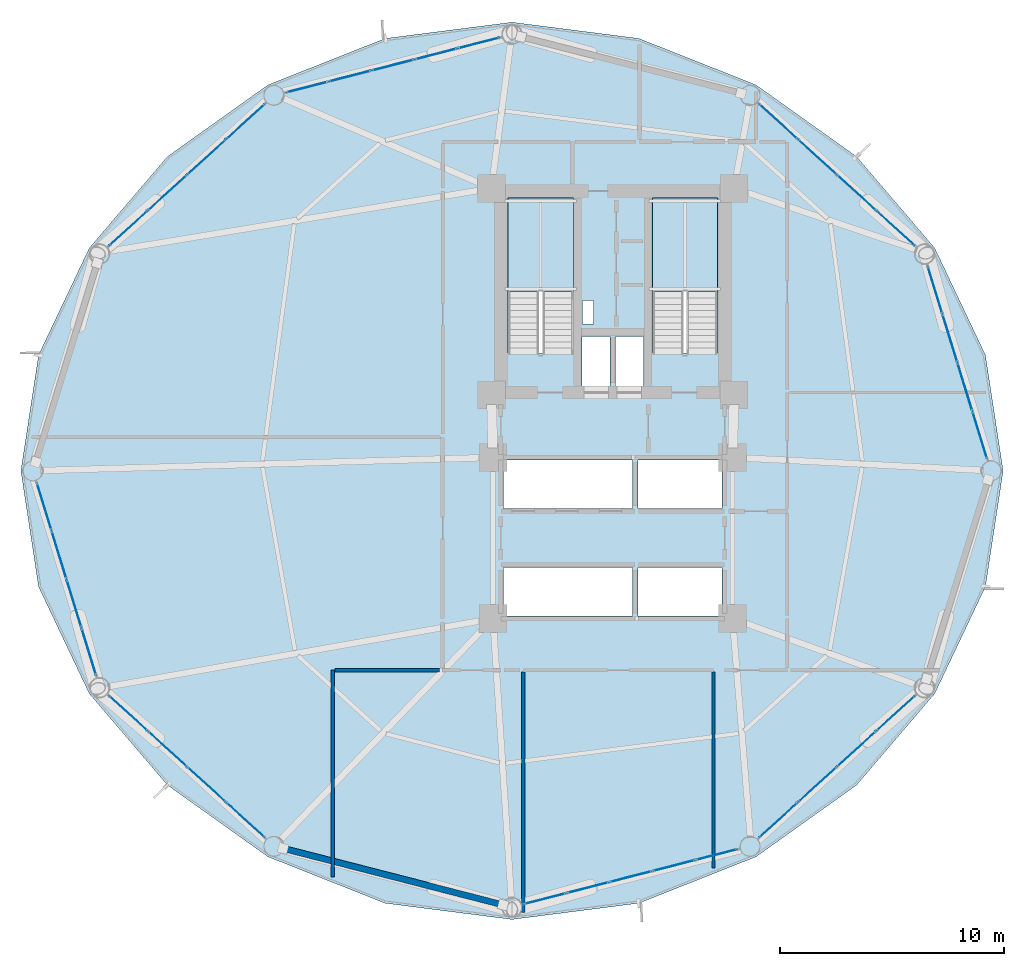
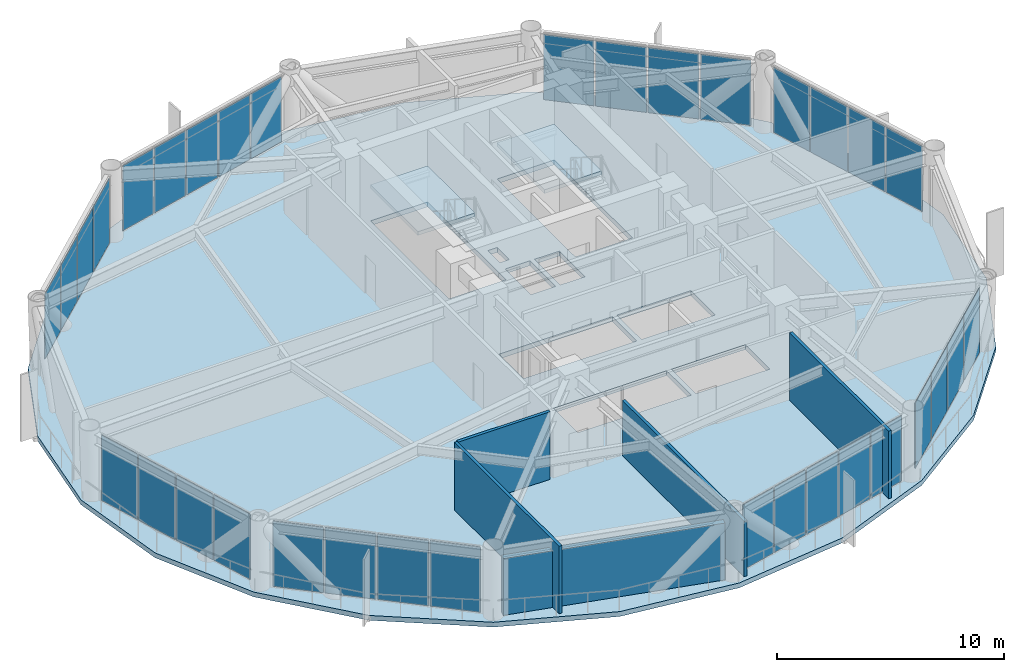
# One storey, part 19 of 25: 34 plates, 5 walls, 3 slabs, 10 elements without a shape of their own.
"""IFC4 building model written with IfcOpenShell, lengths in metres."""

import ifcopenshell
import ifcopenshell.guid

model = None  # the IFC model being written
_history = None  # IfcOwnerHistory: only IFC2X3 demands one
_inside = {}  # id of a spatial element -> (the spatial element, [elements in it])
_under = {}  # id of a project, library or spatial element -> (it, [spatial elements below it])
_declared = {}  # id of a project -> (the project, [libraries it declares])
_typed = {}  # id of a type object -> (the type object, [elements of that type])
_made_of = {}  # id of a material, layer set ... -> (it, [elements and type objects made of it])


def new_model(schema):
    """Start an empty IFC model of exactly this schema.

    Asked for "IFC4X3", IfcOpenShell would pick the latest addendum, in which some entities
    have other attributes; the version numbers below select the first issue.
    IFC2X3 requires an IfcOwnerHistory on every rooted entity: one is made here for all.
    """
    global model, _history
    if schema == "IFC4X3":
        model = ifcopenshell.file(schema_version=(4, 3, 0, 0))
    else:
        model = ifcopenshell.file(schema=schema)
    _inside.clear()
    _under.clear()
    _declared.clear()
    _typed.clear()
    _made_of.clear()
    _history = None
    if model.schema == "IFC2X3":
        org = make("IfcOrganization", Name="unknown")
        user = make(
            "IfcPersonAndOrganization",
            ThePerson=make("IfcPerson", FamilyName="unknown"),
            TheOrganization=org,
        )
        app = make(
            "IfcApplication",
            ApplicationDeveloper=org,
            Version="unknown",
            ApplicationFullName="unknown",
            ApplicationIdentifier="unknown",
        )
        _history = make(
            "IfcOwnerHistory",
            OwningUser=user,
            OwningApplication=app,
            ChangeAction="ADDED",
            CreationDate=0,
        )
    return model


def make(cls, **values):
    """One entity of the class cls with the attributes given. An attribute that is None is left unset."""
    return model.create_entity(
        cls, **{name: value for name, value in values.items() if value is not None}
    )


def rooted(cls, **values):
    """An entity with a GlobalId (a new one), such as an element, a storey or a relation."""
    return make(cls, GlobalId=ifcopenshell.guid.new(), OwnerHistory=_history, **values)


def si_unit(unit_type, name, prefix=None):
    """IfcSIUnit, for example si_unit("LENGTHUNIT", "METRE", prefix="MILLI")."""
    return make("IfcSIUnit", UnitType=unit_type, Prefix=prefix, Name=name)


def assignment(units):
    """IfcUnitAssignment: the units of a project."""
    return None if units is None else make("IfcUnitAssignment", Units=units)


def point(xyz):
    """IfcCartesianPoint."""
    return None if xyz is None else make("IfcCartesianPoint", Coordinates=xyz)


def direction(xyz):
    """IfcDirection."""
    return None if xyz is None else make("IfcDirection", DirectionRatios=xyz)


def frame(location, z_axis=None, x_axis=None):
    """IfcAxis2Placement3D, a coordinate frame: its origin and axes. An axis left out is left unset."""
    return make(
        "IfcAxis2Placement3D",
        Location=point(location),
        Axis=direction(z_axis),
        RefDirection=direction(x_axis),
    )


def frame_2d(location, x_axis=None):
    """IfcAxis2Placement2D, a coordinate frame in the plane: its origin and x axis."""
    return make(
        "IfcAxis2Placement2D", Location=point(location), RefDirection=direction(x_axis)
    )


def origin():
    """The frame at (0, 0, 0) with its axes left unset."""
    return frame((0.0, 0.0, 0.0))


def origin_2d():
    """The frame at (0, 0) in the plane with its x axis left unset."""
    return frame_2d((0.0, 0.0))


def place(relative_to, where):
    """IfcLocalPlacement: puts the frame where relative to a parent placement (None: the world)."""
    return make(
        "IfcLocalPlacement", PlacementRelTo=relative_to, RelativePlacement=where
    )


def context(
    kind, dimensions, precision=None, world=None, true_north=None, identifier=None
):
    """IfcGeometricRepresentationContext, for example the 3D "Model" context."""
    return make(
        "IfcGeometricRepresentationContext",
        ContextIdentifier=identifier,
        ContextType=kind,
        CoordinateSpaceDimension=dimensions,
        Precision=precision,
        WorldCoordinateSystem=world,
        TrueNorth=true_north,
    )


def subcontext(parent, identifier, kind, view, scale=None):
    """IfcGeometricRepresentationSubContext, for example "Body" below "Model"."""
    return make(
        "IfcGeometricRepresentationSubContext",
        ContextIdentifier=identifier,
        ContextType=kind,
        ParentContext=parent,
        TargetScale=scale,
        TargetView=view,
    )


def project(units=None, contexts=None):
    """IfcProject with its units and contexts."""
    return rooted(
        "IfcProject",
        Name="project",
        RepresentationContexts=contexts,
        UnitsInContext=assignment(units),
    )


def spatial(cls, under=None, at=None, **own):
    """A site, building, storey or space (cls), placed at a placement, below another one or the project."""
    s = rooted(cls, ObjectPlacement=at, **own)
    if under is not None:
        _under.setdefault(under.id(), (under, []))[1].append(s)
    return s


def polyline(points):
    """IfcPolyline through the points."""
    return make("IfcPolyline", Points=[point(p) for p in points])


def profile(cls, at=None, kind="AREA", **sizes):
    """A parametric profile (cls). Its sizes go by their IFC names, for example OverallWidth=200.0."""
    return make(cls, ProfileType=kind, Position=at, **sizes)


def rectangle(**sizes):
    """IfcRectangleProfileDef."""
    return profile("IfcRectangleProfileDef", **sizes)


def outline(outer, holes=None, kind="AREA"):
    """IfcArbitraryClosedProfileDef: a profile drawn as a closed curve; with holes, ...WithVoids."""
    if holes is None:
        return make("IfcArbitraryClosedProfileDef", ProfileType=kind, OuterCurve=outer)
    return make(
        "IfcArbitraryProfileDefWithVoids",
        ProfileType=kind,
        OuterCurve=outer,
        InnerCurves=holes,
    )


def extrude(swept, where, along, depth):
    """IfcExtrudedAreaSolid: the profile swept, set in the frame where, extruded along a direction by depth."""
    return make(
        "IfcExtrudedAreaSolid",
        SweptArea=swept,
        Position=where,
        ExtrudedDirection=direction(along),
        Depth=depth,
    )


def shape(context_of_items, identifier, shape_type, items):
    """IfcShapeRepresentation: the items that make up one representation, for example the "Body"."""
    return make(
        "IfcShapeRepresentation",
        ContextOfItems=context_of_items,
        RepresentationIdentifier=identifier,
        RepresentationType=shape_type,
        Items=items,
    )


def source(mapping_origin, context_of_items, identifier, shape_type, items):
    """IfcRepresentationMap: a shape defined once, which mapped items show again and again."""
    return make(
        "IfcRepresentationMap",
        MappingOrigin=mapping_origin,
        MappedRepresentation=shape(context_of_items, identifier, shape_type, items),
    )


def transform(
    local_origin,
    x_axis=None,
    y_axis=None,
    z_axis=None,
    scale=None,
    scale2=None,
    scale3=None,
    uniform=True,
):
    """IfcCartesianTransformationOperator3D, or its non-uniform kind. x_axis, y_axis, z_axis: its Axis1, 2, 3."""
    if uniform:
        return make(
            "IfcCartesianTransformationOperator3D",
            Axis1=direction(x_axis),
            Axis2=direction(y_axis),
            LocalOrigin=point(local_origin),
            Scale=scale,
            Axis3=direction(z_axis),
        )
    return make(
        "IfcCartesianTransformationOperator3DnonUniform",
        Axis1=direction(x_axis),
        Axis2=direction(y_axis),
        LocalOrigin=point(local_origin),
        Scale=scale,
        Axis3=direction(z_axis),
        Scale2=scale2,
        Scale3=scale3,
    )


def mapped(mapping_source, mapping_target):
    """IfcMappedItem: shows the shape of a source again, moved by a transform."""
    return make(
        "IfcMappedItem", MappingSource=mapping_source, MappingTarget=mapping_target
    )


def material(Name=None, Category=None):
    """IfcMaterial."""
    return make("IfcMaterial", Name=Name, Category=Category)


def layer(
    of_material, thickness, ventilated=None, Name=None, Category=None, Priority=None
):
    """IfcMaterialLayer: one layer of a wall or slab, of a material (None: an air gap)."""
    return make(
        "IfcMaterialLayer",
        Material=of_material,
        LayerThickness=thickness,
        IsVentilated=ventilated,
        Name=Name,
        Category=Category,
        Priority=Priority,
    )


def layer_set(layers, Name=None):
    """IfcMaterialLayerSet."""
    return make("IfcMaterialLayerSet", MaterialLayers=layers, LayerSetName=Name)


def made_of(thing, what):
    """Note that an element or type object is made of a material, layer set ...; save() writes the relation."""
    if what is not None:
        _made_of.setdefault(what.id(), (what, []))[1].append(thing)
    return thing


def type_object(cls, material=None, **own):
    """A type object (cls), such as IfcWallType, which elements share."""
    return made_of(rooted(cls, **own), material)


def type_shapes(of_type, sources):
    """Give a type object the sources (RepresentationMaps) that its elements show as mapped items."""
    of_type.RepresentationMaps = sources


def element(
    cls,
    number,
    at=None,
    inside=None,
    cuts=None,
    type_object=None,
    material=None,
    context=None,
    identifier="Body",
    shape_type=None,
    held_by="IfcProductDefinitionShape",
    body=None,
    shapes=None,
    **own,
):
    """One element of the class cls, such as IfcWall. Its Tag is "e" and its number.

    at: its placement. inside: the storey or other place that contains it. cuts: it is an
    opening in that element (IfcRelVoidsElement). A single representation is given by context,
    identifier, shape_type and body (its items); several are given by shapes. held_by: the class
    of the entity that holds the representations. save() writes the other relations.
    """
    e = rooted(cls, Tag="e%d" % number, ObjectPlacement=at, **own)
    if body is not None:
        shapes = [shape(context, identifier, shape_type, body)]
    if shapes is not None:
        e.Representation = make(held_by, Representations=shapes)
    if inside is not None:
        _inside.setdefault(inside.id(), (inside, []))[1].append(e)
    if cuts is not None:
        rooted(
            "IfcRelVoidsElement", RelatingBuildingElement=cuts, RelatedOpeningElement=e
        )
    if type_object is not None:
        _typed.setdefault(type_object.id(), (type_object, []))[1].append(e)
    return made_of(e, material)


def aggregate(whole, parts):
    """IfcRelAggregates: a whole, such as a stair, and the parts it consists of."""
    return rooted("IfcRelAggregates", RelatingObject=whole, RelatedObjects=parts)


def save(model, path):
    """Write the relations noted so far, then the file.

    IfcRelAggregates (storeys below a building ...), IfcRelContainedInSpatialStructure (elements
    in a storey), IfcRelDefinesByType, IfcRelAssociatesMaterial and IfcRelDeclares: one each for
    every whole, place, type object, material and project.
    """
    for whole, parts in _under.values():
        aggregate(whole, parts)
    for where, things in _inside.values():
        rooted(
            "IfcRelContainedInSpatialStructure",
            RelatedElements=things,
            RelatingStructure=where,
        )
    for kind, things in _typed.values():
        rooted("IfcRelDefinesByType", RelatedObjects=things, RelatingType=kind)
    for what, things in _made_of.values():
        rooted("IfcRelAssociatesMaterial", RelatedObjects=things, RelatingMaterial=what)
    for by, libraries in _declared.values():
        rooted("IfcRelDeclares", RelatingContext=by, RelatedDefinitions=libraries)
    model.write(path)


model = new_model("IFC4")

# Units and contexts
model_context = context("Model", 3, precision=1e-05, world=origin(), true_north=direction((0.0, 1.0)))
body_context = subcontext(model_context, "Body", "Model", "MODEL_VIEW")
ifc_project = project(units=[si_unit("LENGTHUNIT", "METRE"), si_unit("AREAUNIT", "SQUARE_METRE"), si_unit("VOLUMEUNIT", "CUBIC_METRE"), si_unit("PLANEANGLEUNIT", "RADIAN"), si_unit("MASSUNIT", "GRAM", prefix="KILO")], contexts=[model_context])

# Site, building, storey
site_placement = place(None, origin())
site = spatial("IfcSite", under=ifc_project, at=site_placement, CompositionType="ELEMENT")
building_placement = place(site_placement, origin())
building = spatial("IfcBuilding", under=site, at=building_placement, Name="Varnakorn Sky Granary", CompositionType="ELEMENT")
storey_placement = place(building_placement, frame((0.0, 0.0, 58.800048828125)))
storey = spatial("IfcBuildingStorey", under=building, at=storey_placement, Name="L14", CompositionType="ELEMENT", Elevation=58.800048828125)

# Stair, slab
ifc_material_1 = material(Name="Concrete C40/50", Category="concrete")
stair_type = type_object("IfcStairType", Name="ST-MAIN-ASSEMBLY", PredefinedType="HALF_TURN_STAIR", material=ifc_material_1)
stair_1_placement = place(storey_placement, origin())
stair_1 = element("IfcStair", 1, at=stair_1_placement, inside=storey, type_object=stair_type, Name="L14 Protected Exit Stair ST-1", PredefinedType="HALF_TURN_STAIR")
ifc_layer_1 = layer(ifc_material_1, 0.199951171875, Name="Concrete C40/50")
ifc_layer_set_1 = layer_set([ifc_layer_1], Name="Concrete C40/50")
slab_type_1 = type_object("IfcSlabType", Name="ST-MAIN-LAND", PredefinedType="LANDING", material=ifc_layer_set_1)
slab_1_placement = place(storey_placement, frame((0.0, 0.0, 1.75)))
slab_1 = element("IfcSlab", 2, at=slab_1_placement, type_object=slab_type_1, Name="ST-1 landing 1", PredefinedType="LANDING", context=body_context, shape_type="SweptSolid", body=[
    extrude(outline(polyline([(1.239990234375, 8.0), (1.239990234375, 12.179931640625), (-1.669921875, 12.179931640625), (-1.669921875, 8.0), (1.239990234375, 8.0)])), origin(), (0.0, 0.0, 1.0), 0.199951171875),
])
aggregate(stair_1, [slab_1])

stair_2_placement = place(storey_placement, origin())
stair_2 = element("IfcStair", 3, at=stair_2_placement, inside=storey, type_object=stair_type, Name="L14 Protected Exit Stair ST-2", PredefinedType="HALF_TURN_STAIR")
slab_2_placement = place(storey_placement, frame((0.0, 0.0, 1.75)))
slab_2 = element("IfcSlab", 4, at=slab_2_placement, type_object=slab_type_1, Name="ST-2 landing 1", PredefinedType="LANDING", context=body_context, shape_type="SweptSolid", body=[
    extrude(outline(polyline([(7.679931640625, 8.0), (7.679931640625, 12.179931640625), (4.77001953125, 12.179931640625), (4.77001953125, 8.0), (7.679931640625, 8.0)])), origin(), (0.0, 0.0, 1.0), 0.199951171875),
])
aggregate(stair_2, [slab_2])

# Slab
ifc_material_2 = material(Name="Concrete C50/60", Category="concrete")
ifc_layer_2 = layer(ifc_material_2, 0.260009765625, Name="Concrete C50/60")
ifc_layer_set_2 = layer_set([ifc_layer_2], Name="Concrete C50/60")
slab_type_2 = type_object("IfcSlabType", Name="ST-SL-TWR-260", PredefinedType="FLOOR", material=ifc_layer_set_2)
slab_3_placement = place(storey_placement, frame((0.0, 0.0, -0.260009765625)))
element("IfcSlab", 5, at=slab_3_placement, inside=storey, type_object=slab_type_2, Name="Level L14 Structural Floor Slab", PredefinedType="FLOOR", context=body_context, shape_type="SweptSolid", body=[
    extrude(outline(polyline([(20.43798828125, 0.0), (19.64697265625, 5.175048828125), (17.382080078125, 9.952392578125), (13.88525390625, 14.043212890625), (9.401611328125, 17.23828125), (4.166259765625, 19.313720703125), (-1.5, 20.0400390625), (-7.166259765625, 19.313720703125), (-12.401611328125, 17.23828125), (-16.88525390625, 14.043212890625), (-20.382080078125, 9.952392578125), (-22.64697265625, 5.175048828125), (-23.43798828125, 0.0), (-22.64697265625, -5.175048828125), (-20.382080078125, -9.952392578125), (-16.88525390625, -14.043212890625), (-12.401611328125, -17.23828125), (-7.166259765625, -19.313720703125), (-1.5, -20.0400390625), (4.166259765625, -19.313720703125), (9.401611328125, -17.23828125), (13.88525390625, -14.043212890625), (17.382080078125, -9.952392578125), (19.64697265625, -5.175048828125), (20.43798828125, 0.0)]), holes=[polyline([(1.239990234375, 5.27490234375), (1.239990234375, 12.179931640625), (-1.669921875, 12.179931640625), (-1.669921875, 5.27490234375), (1.239990234375, 5.27490234375)]), polyline([(7.679931640625, 5.27490234375), (7.679931640625, 12.179931640625), (4.77001953125, 12.179931640625), (4.77001953125, 5.27490234375), (7.679931640625, 5.27490234375)]), polyline([(1.659912109375, 6.550048828125), (2.14990234375, 6.550048828125), (2.14990234375, 7.6201171875), (1.659912109375, 7.6201171875), (1.659912109375, 6.550048828125)]), polyline([(1.6201171875, 3.739990234375), (2.8798828125, 3.739990234375), (2.8798828125, 6.010009765625), (1.6201171875, 6.010009765625), (1.6201171875, 3.739990234375)]), polyline([(3.1201171875, 3.739990234375), (4.3798828125, 3.739990234375), (4.3798828125, 6.010009765625), (3.1201171875, 6.010009765625), (3.1201171875, 3.739990234375)]), polyline([(-1.8798828125, -1.679931640625), (3.8798828125, -1.679931640625), (3.8798828125, 0.47998046875), (-1.8798828125, 0.47998046875), (-1.8798828125, -1.679931640625)]), polyline([(4.1201171875, -1.679931640625), (7.8798828125, -1.679931640625), (7.8798828125, 0.47998046875), (4.1201171875, 0.47998046875), (4.1201171875, -1.679931640625)]), polyline([(-1.8798828125, -6.47998046875), (3.8798828125, -6.47998046875), (3.8798828125, -4.320068359375), (-1.8798828125, -4.320068359375), (-1.8798828125, -6.47998046875)]), polyline([(4.1201171875, -6.47998046875), (7.8798828125, -6.47998046875), (7.8798828125, -4.320068359375), (4.1201171875, -4.320068359375), (4.1201171875, -6.47998046875)])]), origin(), (0.0, 0.0, 1.0), 0.260009765625),
])

# Curtain wall, plates
ifc_material_3 = material(Name="Anodised Bronze Aluminium Alloy 6063-T6", Category="aluminium")
ifc_layer_3 = layer(ifc_material_3, 0.18994140625, Name="Anodised Bronze Aluminium Alloy 6063-T6")
ifc_layer_set_3 = layer_set([ifc_layer_3], Name="Anodised Bronze Aluminium Alloy 6063-T6")
curtain_wall_type = type_object("IfcCurtainWallType", Name="CW-FRM-1", PredefinedType="USERDEFINED", material=ifc_layer_set_3)
curtain_wall_1_placement = place(storey_placement, origin())
curtain_wall_1 = element("IfcCurtainWall", 6, at=curtain_wall_1_placement, inside=storey, type_object=curtain_wall_type, Name="Unitised Curtain Wall CW3 CW-L14-B02", ObjectType="CURTAIN WALL", PredefinedType="USERDEFINED")
ifc_material_4 = material(Name="Low-E Tinted Laminated Glass", Category="glass")
ifc_layer_4 = layer(ifc_material_4, 0.028076171875, Name="Low-E Tinted Laminated Glass")
ifc_layer_set_4 = layer_set([ifc_layer_4], Name="Low-E Tinted Laminated Glass")
plate_type = type_object("IfcPlateType", Name="CW-FRM-1-PNL", PredefinedType="CURTAIN_PANEL")
shared_shape_1 = source(origin(), body_context, "Body", "SweptSolid", [
    extrude(rectangle(XDim=2.302001953125, YDim=0.028076171875, at=origin_2d()), origin(), (0.0, 0.0, 1.0), 3.5),
])
plate_1_placement = place(storey_placement, frame((12.13916015625, 14.018310546875, 0.070068359375), z_axis=(0.0, 0.0, 1.0), x_axis=(0.739352219623, -0.67331886602, 0.0)))
plate_1 = element("IfcPlate", 7, at=plate_1_placement, type_object=plate_type, material=ifc_layer_set_4, Name="CW3 vision glazing unit 2.1", PredefinedType="CURTAIN_PANEL", context=body_context, shape_type="MappedRepresentation", body=[
    mapped(shared_shape_1, transform((0.0, 0.0, 0.0), x_axis=(1.0, 0.0, 0.0), y_axis=(0.0, 1.0, 0.0), z_axis=(0.0, 0.0, 1.0), scale=1.0)),
])
ifc_material_5 = material(Name="Opaque Insulated Aluminium Shadow-Box Unit", Category="aluminium")
ifc_layer_5 = layer(ifc_material_5, 0.028076171875, Name="Opaque Insulated Aluminium Shadow-Box Unit")
ifc_layer_set_5 = layer_set([ifc_layer_5], Name="Opaque Insulated Aluminium Shadow-Box Unit")
plate_2_placement = place(storey_placement, frame((13.892822265625, 12.421142578125, 0.070068359375), z_axis=(0.0, 0.0, 1.0), x_axis=(0.739352219623, -0.67331886602, 0.0)))
plate_2 = element("IfcPlate", 8, at=plate_2_placement, type_object=plate_type, material=ifc_layer_set_5, Name="CW3 opaque insulated shadow-box unit 3.1", PredefinedType="CURTAIN_PANEL", context=body_context, shape_type="MappedRepresentation", body=[
    mapped(shared_shape_1, transform((0.0, 0.0, 0.0), x_axis=(1.0, 0.0, 0.0), y_axis=(0.0, 1.0, 0.0), z_axis=(0.0, 0.0, 1.0), scale=1.0)),
])

curtain_wall_2_placement = place(storey_placement, origin())
curtain_wall_2 = element("IfcCurtainWall", 9, at=curtain_wall_2_placement, inside=storey, type_object=curtain_wall_type, Name="Unitised Curtain Wall CW3 CW-L14-B05", ObjectType="CURTAIN WALL", PredefinedType="USERDEFINED")
plate_3_placement = place(storey_placement, frame((-16.892822265625, 12.421142578125, 0.070068359375), z_axis=(0.0, 0.0, 1.0), x_axis=(0.739352219623, 0.67331886602, 0.0)))
plate_3 = element("IfcPlate", 10, at=plate_3_placement, type_object=plate_type, material=ifc_layer_set_5, Name="CW3 opaque insulated shadow-box unit 2.1", PredefinedType="CURTAIN_PANEL", context=body_context, shape_type="MappedRepresentation", body=[
    mapped(shared_shape_1, transform((0.0, 0.0, 0.0), x_axis=(1.0, 0.0, 0.0), y_axis=(0.0, 1.0, 0.0), z_axis=(0.0, 0.0, 1.0), scale=1.0)),
])
plate_4_placement = place(storey_placement, frame((-15.13916015625, 14.018310546875, 0.070068359375), z_axis=(0.0, 0.0, 1.0), x_axis=(0.739352219623, 0.67331886602, 0.0)))
plate_4 = element("IfcPlate", 11, at=plate_4_placement, type_object=plate_type, material=ifc_layer_set_4, Name="CW3 vision glazing unit 3.1", PredefinedType="CURTAIN_PANEL", context=body_context, shape_type="MappedRepresentation", body=[
    mapped(shared_shape_1, transform((0.0, 0.0, 0.0), x_axis=(1.0, 0.0, 0.0), y_axis=(0.0, 1.0, 0.0), z_axis=(0.0, 0.0, 1.0), scale=1.0)),
])

curtain_wall_3_placement = place(storey_placement, origin())
curtain_wall_3 = element("IfcCurtainWall", 12, at=curtain_wall_3_placement, inside=storey, type_object=curtain_wall_type, Name="Unitised Curtain Wall CW3 CW-L14-B08", ObjectType="CURTAIN WALL", PredefinedType="USERDEFINED")
plate_5_placement = place(storey_placement, frame((-15.13916015625, -14.018310546875, 0.070068359375), z_axis=(0.0, 0.0, 1.0), x_axis=(-0.739352219623, 0.67331886602, 0.0)))
plate_5 = element("IfcPlate", 13, at=plate_5_placement, type_object=plate_type, material=ifc_layer_set_4, Name="CW3 vision glazing unit 2.1", PredefinedType="CURTAIN_PANEL", context=body_context, shape_type="MappedRepresentation", body=[
    mapped(shared_shape_1, transform((0.0, 0.0, 0.0), x_axis=(1.0, 0.0, 0.0), y_axis=(0.0, 1.0, 0.0), z_axis=(0.0, 0.0, 1.0), scale=1.0)),
])
plate_6_placement = place(storey_placement, frame((-16.892822265625, -12.421142578125, 0.070068359375), z_axis=(0.0, 0.0, 1.0), x_axis=(-0.739352219623, 0.67331886602, 0.0)))
plate_6 = element("IfcPlate", 14, at=plate_6_placement, type_object=plate_type, material=ifc_layer_set_5, Name="CW3 opaque insulated shadow-box unit 3.1", PredefinedType="CURTAIN_PANEL", context=body_context, shape_type="MappedRepresentation", body=[
    mapped(shared_shape_1, transform((0.0, 0.0, 0.0), x_axis=(1.0, 0.0, 0.0), y_axis=(0.0, 1.0, 0.0), z_axis=(0.0, 0.0, 1.0), scale=1.0)),
])

curtain_wall_4_placement = place(storey_placement, origin())
curtain_wall_4 = element("IfcCurtainWall", 15, at=curtain_wall_4_placement, inside=storey, type_object=curtain_wall_type, Name="Unitised Curtain Wall CW3 CW-L14-B11", ObjectType="CURTAIN WALL", PredefinedType="USERDEFINED")
plate_7_placement = place(storey_placement, frame((13.892822265625, -12.421142578125, 0.070068359375), z_axis=(0.0, 0.0, 1.0), x_axis=(-0.739352219623, -0.67331886602, 0.0)))
plate_7 = element("IfcPlate", 16, at=plate_7_placement, type_object=plate_type, material=ifc_layer_set_5, Name="CW3 opaque insulated shadow-box unit 2.1", PredefinedType="CURTAIN_PANEL", context=body_context, shape_type="MappedRepresentation", body=[
    mapped(shared_shape_1, transform((0.0, 0.0, 0.0), x_axis=(1.0, 0.0, 0.0), y_axis=(0.0, 1.0, 0.0), z_axis=(0.0, 0.0, 1.0), scale=1.0)),
])
plate_8_placement = place(storey_placement, frame((12.13916015625, -14.018310546875, 0.070068359375), z_axis=(0.0, 0.0, 1.0), x_axis=(-0.739352219623, -0.67331886602, 0.0)))
plate_8 = element("IfcPlate", 17, at=plate_8_placement, type_object=plate_type, material=ifc_layer_set_4, Name="CW3 vision glazing unit 3.1", PredefinedType="CURTAIN_PANEL", context=body_context, shape_type="MappedRepresentation", body=[
    mapped(shared_shape_1, transform((0.0, 0.0, 0.0), x_axis=(1.0, 0.0, 0.0), y_axis=(0.0, 1.0, 0.0), z_axis=(0.0, 0.0, 1.0), scale=1.0)),
])

curtain_wall_5_placement = place(storey_placement, origin())
curtain_wall_5 = element("IfcCurtainWall", 18, at=curtain_wall_5_placement, inside=storey, type_object=curtain_wall_type, Name="Unitised Curtain Wall CW3 CW-L14-B01", ObjectType="CURTAIN WALL", PredefinedType="USERDEFINED")
shared_shape_2 = source(origin(), body_context, "Body", "SweptSolid", [
    extrude(rectangle(XDim=2.168212890625, YDim=0.028076171875, at=origin_2d()), origin(), (0.0, 0.0, 1.0), 3.5),
])
plate_9_placement = place(storey_placement, frame((17.397705078125, 8.08056640625, 0.070068359375), z_axis=(0.0, 0.0, 1.0), x_axis=(0.29450469613, -0.955650032155, 0.0)))
plate_9 = element("IfcPlate", 19, at=plate_9_placement, type_object=plate_type, material=ifc_layer_set_5, Name="CW3 opaque insulated shadow-box unit 1.1", PredefinedType="CURTAIN_PANEL", context=body_context, shape_type="MappedRepresentation", body=[
    mapped(shared_shape_2, transform((0.0, 0.0, 0.0), x_axis=(1.0, 0.0, 0.0), y_axis=(0.0, 1.0, 0.0), z_axis=(0.0, 0.0, 1.0), scale=1.0)),
])
plate_10_placement = place(storey_placement, frame((19.395751953125, 1.596923828125, 0.070068359375), z_axis=(0.0, 0.0, 1.0), x_axis=(0.29450469613, -0.955650032155, 0.0)))
plate_10 = element("IfcPlate", 20, at=plate_10_placement, type_object=plate_type, material=ifc_layer_set_4, Name="CW3 vision glazing unit 4.1", PredefinedType="CURTAIN_PANEL", context=body_context, shape_type="MappedRepresentation", body=[
    mapped(shared_shape_2, transform((0.0, 0.0, 0.0), x_axis=(1.0, 0.0, 0.0), y_axis=(0.0, 1.0, 0.0), z_axis=(0.0, 0.0, 1.0), scale=1.0)),
])

curtain_wall_6_placement = place(storey_placement, origin())
curtain_wall_6 = element("IfcCurtainWall", 21, at=curtain_wall_6_placement, inside=storey, type_object=curtain_wall_type, Name="Unitised Curtain Wall CW3 CW-L14-B07", ObjectType="CURTAIN WALL", PredefinedType="USERDEFINED")
plate_11_placement = place(storey_placement, frame((-20.397705078125, -8.08056640625, 0.070068359375), z_axis=(0.0, 0.0, 1.0), x_axis=(-0.29450469613, 0.955650032155, 0.0)))
plate_11 = element("IfcPlate", 22, at=plate_11_placement, type_object=plate_type, material=ifc_layer_set_5, Name="CW3 opaque insulated shadow-box unit 1.1", PredefinedType="CURTAIN_PANEL", context=body_context, shape_type="MappedRepresentation", body=[
    mapped(shared_shape_2, transform((0.0, 0.0, 0.0), x_axis=(1.0, 0.0, 0.0), y_axis=(0.0, 1.0, 0.0), z_axis=(0.0, 0.0, 1.0), scale=1.0)),
])
plate_12_placement = place(storey_placement, frame((-22.395751953125, -1.596923828125, 0.070068359375), z_axis=(0.0, 0.0, 1.0), x_axis=(-0.29450469613, 0.955650032155, 0.0)))
plate_12 = element("IfcPlate", 23, at=plate_12_placement, type_object=plate_type, material=ifc_layer_set_4, Name="CW3 vision glazing unit 4.1", PredefinedType="CURTAIN_PANEL", context=body_context, shape_type="MappedRepresentation", body=[
    mapped(shared_shape_2, transform((0.0, 0.0, 0.0), x_axis=(1.0, 0.0, 0.0), y_axis=(0.0, 1.0, 0.0), z_axis=(0.0, 0.0, 1.0), scale=1.0)),
])

# Plate
shared_shape_3 = source(origin(), body_context, "Body", "SweptSolid", [
    extrude(rectangle(XDim=2.203125, YDim=0.028076171875, at=origin_2d()), origin(), (0.0, 0.0, 1.0), 3.5),
])
plate_13_placement = place(storey_placement, frame((18.06201171875, 5.9248046875, 0.070068359375), z_axis=(0.0, 0.0, 1.0), x_axis=(0.29450469613, -0.955650032155, 0.0)))
plate_13 = element("IfcPlate", 24, at=plate_13_placement, type_object=plate_type, material=ifc_layer_set_5, Name="CW3 opaque insulated shadow-box unit 2.1", PredefinedType="CURTAIN_PANEL", context=body_context, shape_type="MappedRepresentation", body=[
    mapped(shared_shape_3, transform((0.0, 0.0, 0.0), x_axis=(1.0, 0.0, 0.0), y_axis=(0.0, 1.0, 0.0), z_axis=(0.0, 0.0, 1.0), scale=1.0)),
])

plate_14_placement = place(storey_placement, frame((18.7314453125, 3.752685546875, 0.070068359375), z_axis=(0.0, 0.0, 1.0), x_axis=(0.29450469613, -0.955650032155, 0.0)))
plate_14 = element("IfcPlate", 25, at=plate_14_placement, type_object=plate_type, material=ifc_layer_set_4, Name="CW3 vision glazing unit 3.1", PredefinedType="CURTAIN_PANEL", context=body_context, shape_type="MappedRepresentation", body=[
    mapped(shared_shape_3, transform((0.0, 0.0, 0.0), x_axis=(1.0, 0.0, 0.0), y_axis=(0.0, 1.0, 0.0), z_axis=(0.0, 0.0, 1.0), scale=1.0)),
])

aggregate(curtain_wall_5, [plate_9, plate_13, plate_14, plate_10])

plate_15_placement = place(storey_placement, frame((-21.06201171875, -5.9248046875, 0.070068359375), z_axis=(0.0, 0.0, 1.0), x_axis=(-0.29450469613, 0.955650032155, 0.0)))
plate_15 = element("IfcPlate", 26, at=plate_15_placement, type_object=plate_type, material=ifc_layer_set_5, Name="CW3 opaque insulated shadow-box unit 2.1", PredefinedType="CURTAIN_PANEL", context=body_context, shape_type="MappedRepresentation", body=[
    mapped(shared_shape_3, transform((0.0, 0.0, 0.0), x_axis=(1.0, 0.0, 0.0), y_axis=(0.0, 1.0, 0.0), z_axis=(0.0, 0.0, 1.0), scale=1.0)),
])

plate_16_placement = place(storey_placement, frame((-21.7314453125, -3.752685546875, 0.070068359375), z_axis=(0.0, 0.0, 1.0), x_axis=(-0.29450469613, 0.955650032155, 0.0)))
plate_16 = element("IfcPlate", 27, at=plate_16_placement, type_object=plate_type, material=ifc_layer_set_4, Name="CW3 vision glazing unit 3.1", PredefinedType="CURTAIN_PANEL", context=body_context, shape_type="MappedRepresentation", body=[
    mapped(shared_shape_3, transform((0.0, 0.0, 0.0), x_axis=(1.0, 0.0, 0.0), y_axis=(0.0, 1.0, 0.0), z_axis=(0.0, 0.0, 1.0), scale=1.0)),
])

aggregate(curtain_wall_6, [plate_11, plate_15, plate_16, plate_12])

shared_shape_4 = source(origin(), body_context, "Body", "SweptSolid", [
    extrude(rectangle(XDim=2.266845703125, YDim=0.028076171875, at=origin_2d()), origin(), (0.0, 0.0, 1.0), 3.5),
])
plate_17_placement = place(storey_placement, frame((10.3984375, 15.603515625, 0.070068359375), z_axis=(0.0, 0.0, 1.0), x_axis=(0.739352219623, -0.67331886602, 0.0)))
plate_17 = element("IfcPlate", 28, at=plate_17_placement, type_object=plate_type, material=ifc_layer_set_4, Name="CW3 vision glazing unit 1.1", PredefinedType="CURTAIN_PANEL", context=body_context, shape_type="MappedRepresentation", body=[
    mapped(shared_shape_4, transform((0.0, 0.0, 0.0), x_axis=(1.0, 0.0, 0.0), y_axis=(0.0, 1.0, 0.0), z_axis=(0.0, 0.0, 1.0), scale=1.0)),
])

plate_18_placement = place(storey_placement, frame((15.633544921875, 10.8359375, 0.070068359375), z_axis=(0.0, 0.0, 1.0), x_axis=(0.739352219623, -0.67331886602, 0.0)))
plate_18 = element("IfcPlate", 29, at=plate_18_placement, type_object=plate_type, material=ifc_layer_set_5, Name="CW3 opaque insulated shadow-box unit 4.1", PredefinedType="CURTAIN_PANEL", context=body_context, shape_type="MappedRepresentation", body=[
    mapped(shared_shape_4, transform((0.0, 0.0, 0.0), x_axis=(1.0, 0.0, 0.0), y_axis=(0.0, 1.0, 0.0), z_axis=(0.0, 0.0, 1.0), scale=1.0)),
])

aggregate(curtain_wall_1, [plate_17, plate_1, plate_2, plate_18])

plate_19_placement = place(storey_placement, frame((-18.633544921875, 10.8359375, 0.070068359375), z_axis=(0.0, 0.0, 1.0), x_axis=(0.739352219623, 0.67331886602, 0.0)))
plate_19 = element("IfcPlate", 30, at=plate_19_placement, type_object=plate_type, material=ifc_layer_set_5, Name="CW3 opaque insulated shadow-box unit 1.1", PredefinedType="CURTAIN_PANEL", context=body_context, shape_type="MappedRepresentation", body=[
    mapped(shared_shape_4, transform((0.0, 0.0, 0.0), x_axis=(1.0, 0.0, 0.0), y_axis=(0.0, 1.0, 0.0), z_axis=(0.0, 0.0, 1.0), scale=1.0)),
])

plate_20_placement = place(storey_placement, frame((-13.3984375, 15.603515625, 0.070068359375), z_axis=(0.0, 0.0, 1.0), x_axis=(0.739352219623, 0.67331886602, 0.0)))
plate_20 = element("IfcPlate", 31, at=plate_20_placement, type_object=plate_type, material=ifc_layer_set_4, Name="CW3 vision glazing unit 4.1", PredefinedType="CURTAIN_PANEL", context=body_context, shape_type="MappedRepresentation", body=[
    mapped(shared_shape_4, transform((0.0, 0.0, 0.0), x_axis=(1.0, 0.0, 0.0), y_axis=(0.0, 1.0, 0.0), z_axis=(0.0, 0.0, 1.0), scale=1.0)),
])

aggregate(curtain_wall_2, [plate_19, plate_3, plate_4, plate_20])

plate_21_placement = place(storey_placement, frame((-13.3984375, -15.603515625, 0.070068359375), z_axis=(0.0, 0.0, 1.0), x_axis=(-0.739352219623, 0.67331886602, 0.0)))
plate_21 = element("IfcPlate", 32, at=plate_21_placement, type_object=plate_type, material=ifc_layer_set_4, Name="CW3 vision glazing unit 1.1", PredefinedType="CURTAIN_PANEL", context=body_context, shape_type="MappedRepresentation", body=[
    mapped(shared_shape_4, transform((0.0, 0.0, 0.0), x_axis=(1.0, 0.0, 0.0), y_axis=(0.0, 1.0, 0.0), z_axis=(0.0, 0.0, 1.0), scale=1.0)),
])

plate_22_placement = place(storey_placement, frame((-18.633544921875, -10.8359375, 0.070068359375), z_axis=(0.0, 0.0, 1.0), x_axis=(-0.739352219623, 0.67331886602, 0.0)))
plate_22 = element("IfcPlate", 33, at=plate_22_placement, type_object=plate_type, material=ifc_layer_set_5, Name="CW3 opaque insulated shadow-box unit 4.1", PredefinedType="CURTAIN_PANEL", context=body_context, shape_type="MappedRepresentation", body=[
    mapped(shared_shape_4, transform((0.0, 0.0, 0.0), x_axis=(1.0, 0.0, 0.0), y_axis=(0.0, 1.0, 0.0), z_axis=(0.0, 0.0, 1.0), scale=1.0)),
])

aggregate(curtain_wall_3, [plate_21, plate_5, plate_6, plate_22])

plate_23_placement = place(storey_placement, frame((15.633544921875, -10.8359375, 0.070068359375), z_axis=(0.0, 0.0, 1.0), x_axis=(-0.739352219623, -0.67331886602, 0.0)))
plate_23 = element("IfcPlate", 34, at=plate_23_placement, type_object=plate_type, material=ifc_layer_set_5, Name="CW3 opaque insulated shadow-box unit 1.1", PredefinedType="CURTAIN_PANEL", context=body_context, shape_type="MappedRepresentation", body=[
    mapped(shared_shape_4, transform((0.0, 0.0, 0.0), x_axis=(1.0, 0.0, 0.0), y_axis=(0.0, 1.0, 0.0), z_axis=(0.0, 0.0, 1.0), scale=1.0)),
])

plate_24_placement = place(storey_placement, frame((10.3984375, -15.603515625, 0.070068359375), z_axis=(0.0, 0.0, 1.0), x_axis=(-0.739352219623, -0.67331886602, 0.0)))
plate_24 = element("IfcPlate", 35, at=plate_24_placement, type_object=plate_type, material=ifc_layer_set_4, Name="CW3 vision glazing unit 4.1", PredefinedType="CURTAIN_PANEL", context=body_context, shape_type="MappedRepresentation", body=[
    mapped(shared_shape_4, transform((0.0, 0.0, 0.0), x_axis=(1.0, 0.0, 0.0), y_axis=(0.0, 1.0, 0.0), z_axis=(0.0, 0.0, 1.0), scale=1.0)),
])

aggregate(curtain_wall_4, [plate_23, plate_7, plate_8, plate_24])

# Curtain wall, plates
curtain_wall_7_placement = place(storey_placement, origin())
curtain_wall_7 = element("IfcCurtainWall", 36, at=curtain_wall_7_placement, inside=storey, type_object=curtain_wall_type, Name="Unitised Curtain Wall CW3 CW-L14-B04", ObjectType="CURTAIN WALL", PredefinedType="USERDEFINED")
shared_shape_5 = source(origin(), body_context, "Body", "SweptSolid", [
    extrude(rectangle(XDim=1.88232421875, YDim=0.028076171875, at=origin_2d()), origin(), (0.0, 0.0, 1.0), 3.5),
])
plate_25_placement = place(storey_placement, frame((-10.646240234375, 17.141845703125, 0.070068359375), z_axis=(0.0, 0.0, 1.0), x_axis=(0.968591748749, 0.248656438193, 0.0)))
plate_25 = element("IfcPlate", 37, at=plate_25_placement, type_object=plate_type, material=ifc_layer_set_4, Name="CW3 vision glazing unit 1.1", PredefinedType="CURTAIN_PANEL", context=body_context, shape_type="MappedRepresentation", body=[
    mapped(shared_shape_5, transform((0.0, 0.0, 0.0), x_axis=(1.0, 0.0, 0.0), y_axis=(0.0, 1.0, 0.0), z_axis=(0.0, 0.0, 1.0), scale=1.0)),
])
plate_26_placement = place(storey_placement, frame((-2.980224609375, 19.10986328125, 0.070068359375), z_axis=(0.0, 0.0, 1.0), x_axis=(0.968591748749, 0.248656438193, 0.0)))
plate_26 = element("IfcPlate", 38, at=plate_26_placement, type_object=plate_type, material=ifc_layer_set_5, Name="CW3 opaque insulated shadow-box unit 5.1", PredefinedType="CURTAIN_PANEL", context=body_context, shape_type="MappedRepresentation", body=[
    mapped(shared_shape_5, transform((0.0, 0.0, 0.0), x_axis=(1.0, 0.0, 0.0), y_axis=(0.0, 1.0, 0.0), z_axis=(0.0, 0.0, 1.0), scale=1.0)),
])

curtain_wall_8_placement = place(storey_placement, origin())
curtain_wall_8 = element("IfcCurtainWall", 39, at=curtain_wall_8_placement, inside=storey, type_object=curtain_wall_type, Name="Unitised Curtain Wall CW3 CW-L14-B10", ObjectType="CURTAIN WALL", PredefinedType="USERDEFINED")
plate_27_placement = place(storey_placement, frame((7.646240234375, -17.141845703125, 0.070068359375), z_axis=(0.0, 0.0, 1.0), x_axis=(-0.968591748749, -0.248656438193, 0.0)))
plate_27 = element("IfcPlate", 40, at=plate_27_placement, type_object=plate_type, material=ifc_layer_set_4, Name="CW3 vision glazing unit 1.1", PredefinedType="CURTAIN_PANEL", context=body_context, shape_type="MappedRepresentation", body=[
    mapped(shared_shape_5, transform((0.0, 0.0, 0.0), x_axis=(1.0, 0.0, 0.0), y_axis=(0.0, 1.0, 0.0), z_axis=(0.0, 0.0, 1.0), scale=1.0)),
])
plate_28_placement = place(storey_placement, frame((-0.019775390625, -19.10986328125, 0.070068359375), z_axis=(0.0, 0.0, 1.0), x_axis=(-0.968591748749, -0.248656438193, 0.0)))
plate_28 = element("IfcPlate", 41, at=plate_28_placement, type_object=plate_type, material=ifc_layer_set_5, Name="CW3 opaque insulated shadow-box unit 5.1", PredefinedType="CURTAIN_PANEL", context=body_context, shape_type="MappedRepresentation", body=[
    mapped(shared_shape_5, transform((0.0, 0.0, 0.0), x_axis=(1.0, 0.0, 0.0), y_axis=(0.0, 1.0, 0.0), z_axis=(0.0, 0.0, 1.0), scale=1.0)),
])

# Plate
shared_shape_6 = source(origin(), body_context, "Body", "SweptSolid", [
    extrude(rectangle(XDim=1.91748046875, YDim=0.028076171875, at=origin_2d()), origin(), (0.0, 0.0, 1.0), 3.5),
])
type_shapes(plate_type, [shared_shape_1, shared_shape_2, shared_shape_3, shared_shape_4, shared_shape_5, shared_shape_6])
plate_29_placement = place(storey_placement, frame((-8.73828125, 17.6318359375, 0.070068359375), z_axis=(0.0, 0.0, 1.0), x_axis=(0.968591748749, 0.248656438193, 0.0)))
plate_29 = element("IfcPlate", 42, at=plate_29_placement, type_object=plate_type, material=ifc_layer_set_4, Name="CW3 vision glazing unit 2.1", PredefinedType="CURTAIN_PANEL", context=body_context, shape_type="MappedRepresentation", body=[
    mapped(shared_shape_6, transform((0.0, 0.0, 0.0), x_axis=(1.0, 0.0, 0.0), y_axis=(0.0, 1.0, 0.0), z_axis=(0.0, 0.0, 1.0), scale=1.0)),
])

plate_30_placement = place(storey_placement, frame((-6.813232421875, 18.1259765625, 0.070068359375), z_axis=(0.0, 0.0, 1.0), x_axis=(0.968591748749, 0.248656438193, 0.0)))
plate_30 = element("IfcPlate", 43, at=plate_30_placement, type_object=plate_type, material=ifc_layer_set_4, Name="CW3 vision glazing unit 3.1", PredefinedType="CURTAIN_PANEL", context=body_context, shape_type="MappedRepresentation", body=[
    mapped(shared_shape_6, transform((0.0, 0.0, 0.0), x_axis=(1.0, 0.0, 0.0), y_axis=(0.0, 1.0, 0.0), z_axis=(0.0, 0.0, 1.0), scale=1.0)),
])

plate_31_placement = place(storey_placement, frame((-4.88818359375, 18.6201171875, 0.070068359375), z_axis=(0.0, 0.0, 1.0), x_axis=(0.968591748749, 0.248656438193, 0.0)))
plate_31 = element("IfcPlate", 44, at=plate_31_placement, type_object=plate_type, material=ifc_layer_set_5, Name="CW3 opaque insulated shadow-box unit 4.1", PredefinedType="CURTAIN_PANEL", context=body_context, shape_type="MappedRepresentation", body=[
    mapped(shared_shape_6, transform((0.0, 0.0, 0.0), x_axis=(1.0, 0.0, 0.0), y_axis=(0.0, 1.0, 0.0), z_axis=(0.0, 0.0, 1.0), scale=1.0)),
])

aggregate(curtain_wall_7, [plate_25, plate_29, plate_30, plate_31, plate_26])

plate_32_placement = place(storey_placement, frame((5.73828125, -17.6318359375, 0.070068359375), z_axis=(0.0, 0.0, 1.0), x_axis=(-0.968591748749, -0.248656438193, 0.0)))
plate_32 = element("IfcPlate", 45, at=plate_32_placement, type_object=plate_type, material=ifc_layer_set_4, Name="CW3 vision glazing unit 2.1", PredefinedType="CURTAIN_PANEL", context=body_context, shape_type="MappedRepresentation", body=[
    mapped(shared_shape_6, transform((0.0, 0.0, 0.0), x_axis=(1.0, 0.0, 0.0), y_axis=(0.0, 1.0, 0.0), z_axis=(0.0, 0.0, 1.0), scale=1.0)),
])

plate_33_placement = place(storey_placement, frame((3.813232421875, -18.1259765625, 0.070068359375), z_axis=(0.0, 0.0, 1.0), x_axis=(-0.968591748749, -0.248656438193, 0.0)))
plate_33 = element("IfcPlate", 46, at=plate_33_placement, type_object=plate_type, material=ifc_layer_set_4, Name="CW3 vision glazing unit 3.1", PredefinedType="CURTAIN_PANEL", context=body_context, shape_type="MappedRepresentation", body=[
    mapped(shared_shape_6, transform((0.0, 0.0, 0.0), x_axis=(1.0, 0.0, 0.0), y_axis=(0.0, 1.0, 0.0), z_axis=(0.0, 0.0, 1.0), scale=1.0)),
])

plate_34_placement = place(storey_placement, frame((1.88818359375, -18.6201171875, 0.070068359375), z_axis=(0.0, 0.0, 1.0), x_axis=(-0.968591748749, -0.248656438193, 0.0)))
plate_34 = element("IfcPlate", 47, at=plate_34_placement, type_object=plate_type, material=ifc_layer_set_5, Name="CW3 opaque insulated shadow-box unit 4.1", PredefinedType="CURTAIN_PANEL", context=body_context, shape_type="MappedRepresentation", body=[
    mapped(shared_shape_6, transform((0.0, 0.0, 0.0), x_axis=(1.0, 0.0, 0.0), y_axis=(0.0, 1.0, 0.0), z_axis=(0.0, 0.0, 1.0), scale=1.0)),
])

aggregate(curtain_wall_8, [plate_27, plate_32, plate_33, plate_34, plate_28])

# Walls
ifc_material_6 = material(Name="Precast concrete C40/50", Category="concrete")
ifc_layer_6 = layer(ifc_material_6, 0.280029296875, Name="Precast concrete C40/50")
ifc_layer_set_6 = layer_set([ifc_layer_6], Name="Precast concrete C40/50")
wall_type_1 = type_object("IfcWallType", Name="WT-EW-CRN-280", PredefinedType="SOLIDWALL", material=ifc_layer_set_6)
wall_1_placement = place(storey_placement, frame((-1.899169921875, -19.3876953125, 0.0), z_axis=(0.0, 0.0, 1.0), x_axis=(-0.968583068647, 0.248690247355, 0.0)))
element("IfcWall", 48, at=wall_1_placement, inside=storey, type_object=wall_type_1, Name="Agritech Insulated Precast Facade Wall L14-P09", PredefinedType="SOLIDWALL", context=body_context, shape_type="SweptSolid", body=[
    extrude(rectangle(XDim=10.14697265625, YDim=0.280029296875, at=frame_2d((5.073486328125, 0.0))), origin(), (0.0, 0.0, 1.0), 3.06005859375),
])
ifc_material_7 = material(Name="Gypsum Plasterboard on Steel Stud", Category="steel")
ifc_layer_7 = layer(ifc_material_7, 0.14990234375, Name="Gypsum Plasterboard on Steel Stud")
ifc_layer_set_7 = layer_set([ifc_layer_7], Name="Gypsum Plasterboard on Steel Stud")
wall_type_2 = type_object("IfcWallType", Name="WT-PART-150", PredefinedType="PARTITIONING", material=ifc_layer_set_7)
wall_2_placement = place(storey_placement, frame((-1.0, -8.985107421875, 0.0), z_axis=(0.0, 0.0, 1.0), x_axis=(0.0, -1.0, 0.0)))
element("IfcWall", 49, at=wall_2_placement, inside=storey, type_object=wall_type_2, Name="Interior Partition Wall L14-036", PredefinedType="PARTITIONING", context=body_context, shape_type="SweptSolid", body=[
    extrude(rectangle(XDim=10.7509765625, YDim=0.14990234375, at=frame_2d((5.37548828125, 0.0))), origin(), (0.0, 0.0, 1.0), 2.971923828125),
])
wall_3_placement = place(storey_placement, frame((-9.5, -18.133056640625, 0.0), z_axis=(0.0, 0.0, 1.0), x_axis=(0.0, 1.0, 0.0)))
element("IfcWall", 50, at=wall_3_placement, inside=storey, type_object=wall_type_2, Name="Interior Partition Wall L14-037", PredefinedType="PARTITIONING", context=body_context, shape_type="SweptSolid", body=[
    extrude(rectangle(XDim=9.233154296875, YDim=0.14990234375, at=frame_2d((4.61669921875, 0.0))), origin(), (0.0, 0.0, 1.0), 3.639892578125),
])
wall_4_placement = place(storey_placement, frame((-9.4150390625, -8.89990234375, 0.0), z_axis=(0.0, 0.0, 1.0), x_axis=(1.0, 0.0, 0.0)))
element("IfcWall", 51, at=wall_4_placement, inside=storey, type_object=wall_type_2, Name="Interior Partition Wall L14-038", PredefinedType="PARTITIONING", context=body_context, shape_type="SweptSolid", body=[
    extrude(rectangle(XDim=4.679931640625, YDim=0.14990234375, at=frame_2d((2.33984375, 0.0))), origin(), (0.0, 0.0, 1.0), 3.639892578125),
])
wall_5_placement = place(storey_placement, frame((7.5, -8.985107421875, 0.0), z_axis=(0.0, 0.0, 1.0), x_axis=(0.0, -1.0, 0.0)))
element("IfcWall", 52, at=wall_5_placement, inside=storey, type_object=wall_type_2, Name="Interior Partition Wall L14-039", PredefinedType="PARTITIONING", context=body_context, shape_type="SweptSolid", body=[
    extrude(rectangle(XDim=8.7509765625, YDim=0.14990234375, at=frame_2d((4.37548828125, 0.0))), origin(), (0.0, 0.0, 1.0), 3.639892578125),
])

save(model, "model.ifc")
